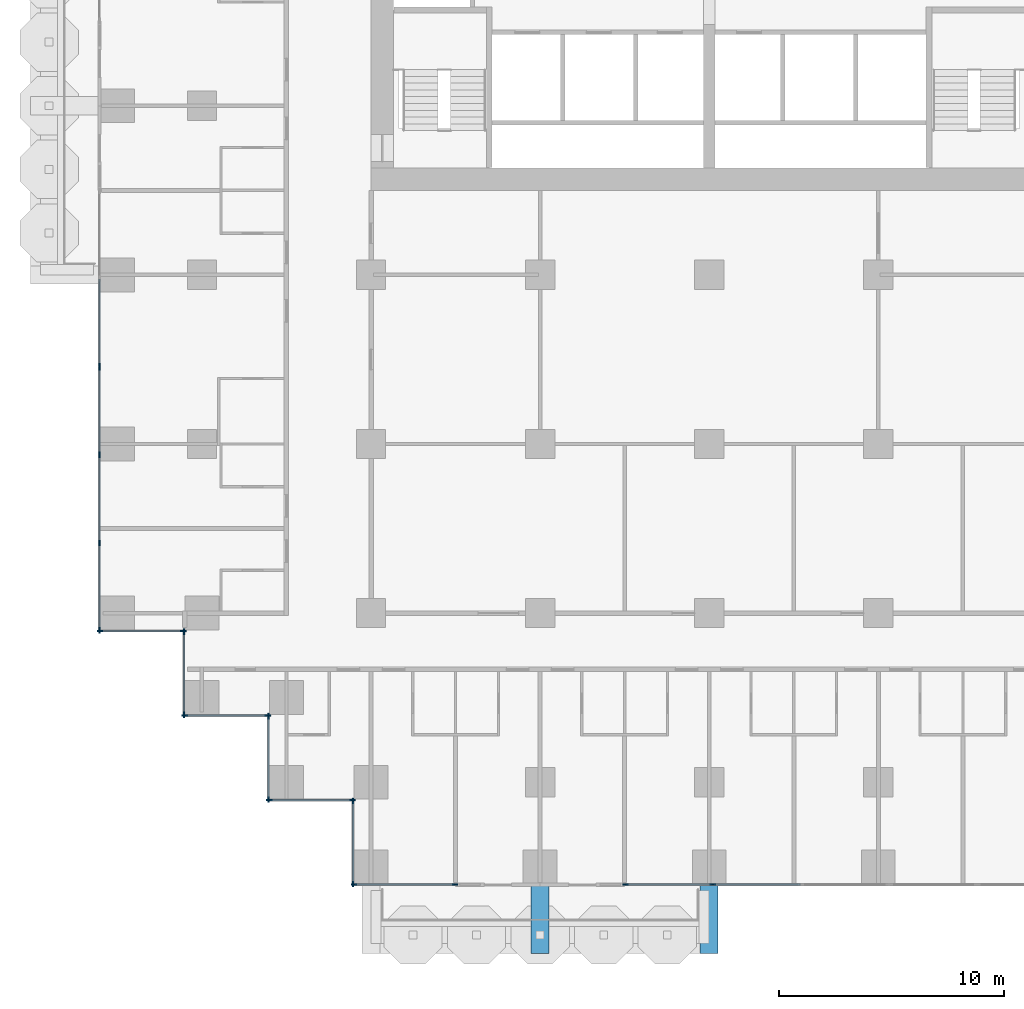
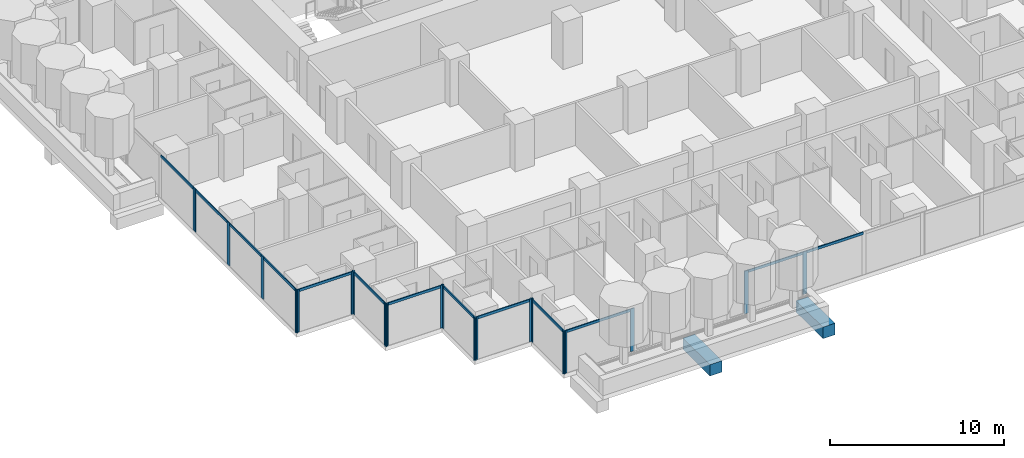
# One storey, part 2 of 19: 34 members, 2 beams, 10 elements without a shape of their own.
"""IFC4 building model written with IfcOpenShell, lengths in metres."""

from ifc_helpers import new_model, si_unit, direction, frame, origin, origin_2d, place, context, subcontext, project, spatial, rectangle, extrude, material, material_profile, profile_set, type_object, element, aggregate, save


model = new_model("IFC4")

# Units and contexts
model_context = context("Model", 3, precision=1e-05, world=origin(), true_north=direction((0.0, 1.0)))
body_context = subcontext(model_context, "Body", "Model", "MODEL_VIEW")
ifc_project = project(units=[si_unit("LENGTHUNIT", "METRE"), si_unit("AREAUNIT", "SQUARE_METRE"), si_unit("VOLUMEUNIT", "CUBIC_METRE"), si_unit("PLANEANGLEUNIT", "RADIAN"), si_unit("MASSUNIT", "GRAM", prefix="KILO")], contexts=[model_context])

# Site, building, storey
site_placement = place(None, origin())
site = spatial("IfcSite", under=ifc_project, at=site_placement, CompositionType="ELEMENT")
building_placement = place(site_placement, origin())
building = spatial("IfcBuilding", under=site, at=building_placement, Name="Pilkhan Gate Tower", CompositionType="ELEMENT")
storey_placement = place(building_placement, frame((0.0, 0.0, 69.199951171875)))
storey = spatial("IfcBuildingStorey", under=building, at=storey_placement, Name="L15", CompositionType="ELEMENT", Elevation=69.199951171875)

# Beams
ifc_material_1 = material(Name="Concrete C50/60", Category="concrete")
ifc_material_profile_1 = material_profile(ifc_material_1, rectangle(XDim=0.800048828125, YDim=0.800048828125, at=origin_2d()), Name="RC 800x800")
ifc_profile_set_1 = profile_set([ifc_material_profile_1], Name="Concrete C50/60")
beam_type = type_object("IfcBeamType", Name="Cantilever beam CB2 RC 800x800 C50/60", PredefinedType="BEAM", material=ifc_profile_set_1)
for number, where, z_axis, x_axis, name in (
    (1, (67.5, 40.5, -0.699951171875), (0.0, -1.0, 0.0), (1.0, 0.0, 0.0), "Balcony beam S.2 L15"),
    (2, (75.0, 40.5, -0.699951171875), (0.0, -1.0, 0.0), (1.0, 0.0, 0.0), "Balcony beam S.3 L15"),
):
    element("IfcBeam", number, at=place(storey_placement, frame(where, z_axis=z_axis, x_axis=x_axis)), inside=storey, type_object=beam_type, Name=name, PredefinedType="BEAM", context=body_context, shape_type="SweptSolid", body=[
        extrude(rectangle(XDim=0.800048828125, YDim=0.800048828125, at=origin_2d()), origin(), (0.0, 0.0, 1.0), 3.10009765625),
    ])

# Curtain wall, members
ifc_material_2 = material(Name="Pale anodised aluminium, clear low-iron double glazing", Category="aluminium")
curtain_wall_type = type_object("IfcCurtainWallType", Name="Hotel unitised curtain wall CW-H", PredefinedType="USERDEFINED", material=ifc_material_2)
curtain_wall_1_placement = place(storey_placement, origin())
curtain_wall_1 = element("IfcCurtainWall", 3, at=curtain_wall_1_placement, inside=storey, type_object=curtain_wall_type, Name="Hotel unitised curtain wall CW-H L15 W", ObjectType="UNITISED CURTAIN WALL", PredefinedType="USERDEFINED")
ifc_material_3 = material(Name="Pale anodised aluminium", Category="aluminium")
ifc_material_profile_2 = material_profile(ifc_material_3, rectangle(XDim=0.06494140625, YDim=0.25, at=origin_2d()), Name="Mullion 250x65")
ifc_profile_set_2 = profile_set([ifc_material_profile_2], Name="Pale anodised aluminium")
member_type_1 = type_object("IfcMemberType", Name="Mullion CW-H 250x65", PredefinedType="MULLION", material=ifc_profile_set_2)
member_1_placement = place(storey_placement, frame((47.955078125, 51.737548828125, 0.0), z_axis=(0.0, 0.0, 1.0), x_axis=(-1.0, 0.0, 0.0)))
member_1 = element("IfcMember", 4, at=member_1_placement, type_object=member_type_1, Name="CW-H mullion 1", PredefinedType="MULLION", context=body_context, shape_type="SweptSolid", body=[
    extrude(rectangle(XDim=0.06494140625, YDim=0.25, at=origin_2d()), origin(), (0.0, 0.0, 1.0), 3.0),
])
member_2_placement = place(storey_placement, frame((47.955078125, 55.614013671875, 0.0), z_axis=(0.0, 0.0, 1.0), x_axis=(-1.0, 0.0, 0.0)))
member_2 = element("IfcMember", 5, at=member_2_placement, type_object=member_type_1, Name="CW-H mullion 2", PredefinedType="MULLION", context=body_context, shape_type="SweptSolid", body=[
    extrude(rectangle(XDim=0.06494140625, YDim=0.25, at=origin_2d()), origin(), (0.0, 0.0, 1.0), 3.0),
])
member_3_placement = place(storey_placement, frame((47.955078125, 59.52294921875, 0.0), z_axis=(0.0, 0.0, 1.0), x_axis=(-1.0, 0.0, 0.0)))
member_3 = element("IfcMember", 6, at=member_3_placement, type_object=member_type_1, Name="CW-H mullion 3", PredefinedType="MULLION", context=body_context, shape_type="SweptSolid", body=[
    extrude(rectangle(XDim=0.06494140625, YDim=0.25, at=origin_2d()), origin(), (0.0, 0.0, 1.0), 3.0),
])
member_4_placement = place(storey_placement, frame((47.955078125, 63.3994140625, 0.0), z_axis=(0.0, 0.0, 1.0), x_axis=(-1.0, 0.0, 0.0)))
member_4 = element("IfcMember", 7, at=member_4_placement, type_object=member_type_1, Name="CW-H mullion 4", PredefinedType="MULLION", context=body_context, shape_type="SweptSolid", body=[
    extrude(rectangle(XDim=0.06494140625, YDim=0.25, at=origin_2d()), origin(), (0.0, 0.0, 1.0), 3.0),
])

# Curtain wall, member
curtain_wall_2_placement = place(storey_placement, origin())
curtain_wall_2 = element("IfcCurtainWall", 8, at=curtain_wall_2_placement, inside=storey, type_object=curtain_wall_type, Name="Hotel unitised curtain wall CW-H L15 W", ObjectType="UNITISED CURTAIN WALL", PredefinedType="USERDEFINED")
member_5_placement = place(storey_placement, frame((47.955078125, 63.464599609375, 0.0), z_axis=(0.0, 0.0, 1.0), x_axis=(-1.0, 0.0, 0.0)))
member_5 = element("IfcMember", 9, at=member_5_placement, type_object=member_type_1, Name="CW-H mullion 1", PredefinedType="MULLION", context=body_context, shape_type="SweptSolid", body=[
    extrude(rectangle(XDim=0.06494140625, YDim=0.25, at=origin_2d()), origin(), (0.0, 0.0, 1.0), 3.0),
])

# Curtain wall, members
curtain_wall_3_placement = place(storey_placement, origin())
curtain_wall_3 = element("IfcCurtainWall", 10, at=curtain_wall_3_placement, inside=storey, type_object=curtain_wall_type, Name="Hotel unitised curtain wall CW-H L15 S", ObjectType="UNITISED CURTAIN WALL", PredefinedType="USERDEFINED")
member_6_placement = place(storey_placement, frame((47.987548828125, 51.705078125, 0.0), z_axis=(0.0, 0.0, 1.0), x_axis=(0.0, 1.0, 0.0)))
member_6 = element("IfcMember", 11, at=member_6_placement, type_object=member_type_1, Name="CW-H mullion 1", PredefinedType="MULLION", context=body_context, shape_type="SweptSolid", body=[
    extrude(rectangle(XDim=0.06494140625, YDim=0.25, at=origin_2d()), origin(), (0.0, 0.0, 1.0), 3.0),
])
member_7_placement = place(storey_placement, frame((51.672607421875, 51.705078125, 0.0), z_axis=(0.0, 0.0, 1.0), x_axis=(0.0, 1.0, 0.0)))
member_7 = element("IfcMember", 12, at=member_7_placement, type_object=member_type_1, Name="CW-H mullion 2", PredefinedType="MULLION", context=body_context, shape_type="SweptSolid", body=[
    extrude(rectangle(XDim=0.06494140625, YDim=0.25, at=origin_2d()), origin(), (0.0, 0.0, 1.0), 3.0),
])

curtain_wall_4_placement = place(storey_placement, origin())
curtain_wall_4 = element("IfcCurtainWall", 13, at=curtain_wall_4_placement, inside=storey, type_object=curtain_wall_type, Name="Hotel unitised curtain wall CW-H L15 W", ObjectType="UNITISED CURTAIN WALL", PredefinedType="USERDEFINED")
member_8_placement = place(storey_placement, frame((51.705078125, 47.987548828125, 0.0), z_axis=(0.0, 0.0, 1.0), x_axis=(-1.0, 0.0, 0.0)))
member_8 = element("IfcMember", 14, at=member_8_placement, type_object=member_type_1, Name="CW-H mullion 1", PredefinedType="MULLION", context=body_context, shape_type="SweptSolid", body=[
    extrude(rectangle(XDim=0.06494140625, YDim=0.25, at=origin_2d()), origin(), (0.0, 0.0, 1.0), 3.0),
])
member_9_placement = place(storey_placement, frame((51.705078125, 51.672607421875, 0.0), z_axis=(0.0, 0.0, 1.0), x_axis=(-1.0, 0.0, 0.0)))
member_9 = element("IfcMember", 15, at=member_9_placement, type_object=member_type_1, Name="CW-H mullion 2", PredefinedType="MULLION", context=body_context, shape_type="SweptSolid", body=[
    extrude(rectangle(XDim=0.06494140625, YDim=0.25, at=origin_2d()), origin(), (0.0, 0.0, 1.0), 3.0),
])

curtain_wall_5_placement = place(storey_placement, origin())
curtain_wall_5 = element("IfcCurtainWall", 16, at=curtain_wall_5_placement, inside=storey, type_object=curtain_wall_type, Name="Hotel unitised curtain wall CW-H L15 S", ObjectType="UNITISED CURTAIN WALL", PredefinedType="USERDEFINED")
member_10_placement = place(storey_placement, frame((51.737548828125, 47.955078125, 0.0), z_axis=(0.0, 0.0, 1.0), x_axis=(0.0, 1.0, 0.0)))
member_10 = element("IfcMember", 17, at=member_10_placement, type_object=member_type_1, Name="CW-H mullion 1", PredefinedType="MULLION", context=body_context, shape_type="SweptSolid", body=[
    extrude(rectangle(XDim=0.06494140625, YDim=0.25, at=origin_2d()), origin(), (0.0, 0.0, 1.0), 3.0),
])
member_11_placement = place(storey_placement, frame((55.422607421875, 47.955078125, 0.0), z_axis=(0.0, 0.0, 1.0), x_axis=(0.0, 1.0, 0.0)))
member_11 = element("IfcMember", 18, at=member_11_placement, type_object=member_type_1, Name="CW-H mullion 2", PredefinedType="MULLION", context=body_context, shape_type="SweptSolid", body=[
    extrude(rectangle(XDim=0.06494140625, YDim=0.25, at=origin_2d()), origin(), (0.0, 0.0, 1.0), 3.0),
])

curtain_wall_6_placement = place(storey_placement, origin())
curtain_wall_6 = element("IfcCurtainWall", 19, at=curtain_wall_6_placement, inside=storey, type_object=curtain_wall_type, Name="Hotel unitised curtain wall CW-H L15 W", ObjectType="UNITISED CURTAIN WALL", PredefinedType="USERDEFINED")
member_12_placement = place(storey_placement, frame((55.455078125, 44.237548828125, 0.0), z_axis=(0.0, 0.0, 1.0), x_axis=(-1.0, 0.0, 0.0)))
member_12 = element("IfcMember", 20, at=member_12_placement, type_object=member_type_1, Name="CW-H mullion 1", PredefinedType="MULLION", context=body_context, shape_type="SweptSolid", body=[
    extrude(rectangle(XDim=0.06494140625, YDim=0.25, at=origin_2d()), origin(), (0.0, 0.0, 1.0), 3.0),
])
member_13_placement = place(storey_placement, frame((55.455078125, 47.922607421875, 0.0), z_axis=(0.0, 0.0, 1.0), x_axis=(-1.0, 0.0, 0.0)))
member_13 = element("IfcMember", 21, at=member_13_placement, type_object=member_type_1, Name="CW-H mullion 2", PredefinedType="MULLION", context=body_context, shape_type="SweptSolid", body=[
    extrude(rectangle(XDim=0.06494140625, YDim=0.25, at=origin_2d()), origin(), (0.0, 0.0, 1.0), 3.0),
])

curtain_wall_7_placement = place(storey_placement, origin())
curtain_wall_7 = element("IfcCurtainWall", 22, at=curtain_wall_7_placement, inside=storey, type_object=curtain_wall_type, Name="Hotel unitised curtain wall CW-H L15 S", ObjectType="UNITISED CURTAIN WALL", PredefinedType="USERDEFINED")
member_14_placement = place(storey_placement, frame((55.487548828125, 44.205078125, 0.0), z_axis=(0.0, 0.0, 1.0), x_axis=(0.0, 1.0, 0.0)))
member_14 = element("IfcMember", 23, at=member_14_placement, type_object=member_type_1, Name="CW-H mullion 1", PredefinedType="MULLION", context=body_context, shape_type="SweptSolid", body=[
    extrude(rectangle(XDim=0.06494140625, YDim=0.25, at=origin_2d()), origin(), (0.0, 0.0, 1.0), 3.0),
])
member_15_placement = place(storey_placement, frame((59.172607421875, 44.205078125, 0.0), z_axis=(0.0, 0.0, 1.0), x_axis=(0.0, 1.0, 0.0)))
member_15 = element("IfcMember", 24, at=member_15_placement, type_object=member_type_1, Name="CW-H mullion 2", PredefinedType="MULLION", context=body_context, shape_type="SweptSolid", body=[
    extrude(rectangle(XDim=0.06494140625, YDim=0.25, at=origin_2d()), origin(), (0.0, 0.0, 1.0), 3.0),
])

curtain_wall_8_placement = place(storey_placement, origin())
curtain_wall_8 = element("IfcCurtainWall", 25, at=curtain_wall_8_placement, inside=storey, type_object=curtain_wall_type, Name="Hotel unitised curtain wall CW-H L15 W", ObjectType="UNITISED CURTAIN WALL", PredefinedType="USERDEFINED")
member_16_placement = place(storey_placement, frame((59.205078125, 40.487548828125, 0.0), z_axis=(0.0, 0.0, 1.0), x_axis=(-1.0, 0.0, 0.0)))
member_16 = element("IfcMember", 26, at=member_16_placement, type_object=member_type_1, Name="CW-H mullion 1", PredefinedType="MULLION", context=body_context, shape_type="SweptSolid", body=[
    extrude(rectangle(XDim=0.06494140625, YDim=0.25, at=origin_2d()), origin(), (0.0, 0.0, 1.0), 3.0),
])
member_17_placement = place(storey_placement, frame((59.205078125, 44.172607421875, 0.0), z_axis=(0.0, 0.0, 1.0), x_axis=(-1.0, 0.0, 0.0)))
member_17 = element("IfcMember", 27, at=member_17_placement, type_object=member_type_1, Name="CW-H mullion 2", PredefinedType="MULLION", context=body_context, shape_type="SweptSolid", body=[
    extrude(rectangle(XDim=0.06494140625, YDim=0.25, at=origin_2d()), origin(), (0.0, 0.0, 1.0), 3.0),
])

curtain_wall_9_placement = place(storey_placement, origin())
curtain_wall_9 = element("IfcCurtainWall", 28, at=curtain_wall_9_placement, inside=storey, type_object=curtain_wall_type, Name="Hotel unitised curtain wall CW-H L15 S", ObjectType="UNITISED CURTAIN WALL", PredefinedType="USERDEFINED")
member_18_placement = place(storey_placement, frame((59.237548828125, 40.455078125, 0.0), z_axis=(0.0, 0.0, 1.0), x_axis=(0.0, 1.0, 0.0)))
member_18 = element("IfcMember", 29, at=member_18_placement, type_object=member_type_1, Name="CW-H mullion 1", PredefinedType="MULLION", context=body_context, shape_type="SweptSolid", body=[
    extrude(rectangle(XDim=0.06494140625, YDim=0.25, at=origin_2d()), origin(), (0.0, 0.0, 1.0), 3.0),
])
member_19_placement = place(storey_placement, frame((63.717529296875, 40.455078125, 0.0), z_axis=(0.0, 0.0, 1.0), x_axis=(0.0, 1.0, 0.0)))
member_19 = element("IfcMember", 30, at=member_19_placement, type_object=member_type_1, Name="CW-H mullion 2", PredefinedType="MULLION", context=body_context, shape_type="SweptSolid", body=[
    extrude(rectangle(XDim=0.06494140625, YDim=0.25, at=origin_2d()), origin(), (0.0, 0.0, 1.0), 3.0),
])

curtain_wall_10_placement = place(storey_placement, origin())
curtain_wall_10 = element("IfcCurtainWall", 31, at=curtain_wall_10_placement, inside=storey, type_object=curtain_wall_type, Name="Hotel unitised curtain wall CW-H L15 S", ObjectType="UNITISED CURTAIN WALL", PredefinedType="USERDEFINED")
member_20_placement = place(storey_placement, frame((71.282470703125, 40.455078125, 0.0), z_axis=(0.0, 0.0, 1.0), x_axis=(0.0, 1.0, 0.0)))
member_20 = element("IfcMember", 32, at=member_20_placement, type_object=member_type_1, Name="CW-H mullion 1", PredefinedType="MULLION", context=body_context, shape_type="SweptSolid", body=[
    extrude(rectangle(XDim=0.06494140625, YDim=0.25, at=origin_2d()), origin(), (0.0, 0.0, 1.0), 3.0),
])
member_21_placement = place(storey_placement, frame((75.158935546875, 40.455078125, 0.0), z_axis=(0.0, 0.0, 1.0), x_axis=(0.0, 1.0, 0.0)))
member_21 = element("IfcMember", 33, at=member_21_placement, type_object=member_type_1, Name="CW-H mullion 2", PredefinedType="MULLION", context=body_context, shape_type="SweptSolid", body=[
    extrude(rectangle(XDim=0.06494140625, YDim=0.25, at=origin_2d()), origin(), (0.0, 0.0, 1.0), 3.0),
])

# Member
ifc_material_profile_3 = material_profile(ifc_material_3, rectangle(XDim=0.06494140625, YDim=0.179931640625, at=origin_2d()), Name="Transom 180x65")
ifc_profile_set_3 = profile_set([ifc_material_profile_3], Name="Pale anodised aluminium")
member_type_2 = type_object("IfcMemberType", Name="Transom CW-H 180x65", PredefinedType="USERDEFINED", material=ifc_profile_set_3)
member_22_placement = place(storey_placement, frame((47.955078125, 51.77001953125, 2.91015625), z_axis=(0.0, 1.0, 0.0), x_axis=(-1.0, 0.0, 0.0)))
member_22 = element("IfcMember", 34, at=member_22_placement, type_object=member_type_2, Name="CW-H transom 1", ObjectType="TRANSOM", PredefinedType="USERDEFINED", context=body_context, shape_type="SweptSolid", body=[
    extrude(rectangle(XDim=0.06494140625, YDim=0.179931640625, at=origin_2d()), origin(), (0.0, 0.0, 1.0), 3.8115234375),
])

member_23_placement = place(storey_placement, frame((47.955078125, 55.646484375, 2.91015625), z_axis=(0.0, 1.0, 0.0), x_axis=(-1.0, 0.0, 0.0)))
member_23 = element("IfcMember", 35, at=member_23_placement, type_object=member_type_2, Name="CW-H transom 2", ObjectType="TRANSOM", PredefinedType="USERDEFINED", context=body_context, shape_type="SweptSolid", body=[
    extrude(rectangle(XDim=0.06494140625, YDim=0.179931640625, at=origin_2d()), origin(), (0.0, 0.0, 1.0), 3.843994140625),
])

member_24_placement = place(storey_placement, frame((47.955078125, 59.555419921875, 2.91015625), z_axis=(0.0, 1.0, 0.0), x_axis=(-1.0, 0.0, 0.0)))
member_24 = element("IfcMember", 36, at=member_24_placement, type_object=member_type_2, Name="CW-H transom 3", ObjectType="TRANSOM", PredefinedType="USERDEFINED", context=body_context, shape_type="SweptSolid", body=[
    extrude(rectangle(XDim=0.06494140625, YDim=0.179931640625, at=origin_2d()), origin(), (0.0, 0.0, 1.0), 3.8115234375),
])

aggregate(curtain_wall_1, [member_1, member_2, member_3, member_4, member_22, member_23, member_24])

member_25_placement = place(storey_placement, frame((47.955078125, 63.4970703125, 2.91015625), z_axis=(0.0, 1.0, 0.0), x_axis=(-1.0, 0.0, 0.0)))
member_25 = element("IfcMember", 37, at=member_25_placement, type_object=member_type_2, Name="CW-H transom 1", ObjectType="TRANSOM", PredefinedType="USERDEFINED", context=body_context, shape_type="SweptSolid", body=[
    extrude(rectangle(XDim=0.06494140625, YDim=0.179931640625, at=origin_2d()), origin(), (0.0, 0.0, 1.0), 3.8115234375),
])

aggregate(curtain_wall_2, [member_5, member_25])

member_26_placement = place(storey_placement, frame((48.02001953125, 51.705078125, 2.91015625), z_axis=(1.0, 0.0, 0.0), x_axis=(0.0, 1.0, 0.0)))
member_26 = element("IfcMember", 38, at=member_26_placement, type_object=member_type_2, Name="CW-H transom 1", ObjectType="TRANSOM", PredefinedType="USERDEFINED", context=body_context, shape_type="SweptSolid", body=[
    extrude(rectangle(XDim=0.06494140625, YDim=0.179931640625, at=origin_2d()), origin(), (0.0, 0.0, 1.0), 3.619873046875),
])

aggregate(curtain_wall_3, [member_6, member_7, member_26])

member_27_placement = place(storey_placement, frame((51.705078125, 48.02001953125, 2.91015625), z_axis=(0.0, 1.0, 0.0), x_axis=(-1.0, 0.0, 0.0)))
member_27 = element("IfcMember", 39, at=member_27_placement, type_object=member_type_2, Name="CW-H transom 1", ObjectType="TRANSOM", PredefinedType="USERDEFINED", context=body_context, shape_type="SweptSolid", body=[
    extrude(rectangle(XDim=0.06494140625, YDim=0.179931640625, at=origin_2d()), origin(), (0.0, 0.0, 1.0), 3.619873046875),
])

aggregate(curtain_wall_4, [member_8, member_9, member_27])

member_28_placement = place(storey_placement, frame((51.77001953125, 47.955078125, 2.91015625), z_axis=(1.0, 0.0, 0.0), x_axis=(0.0, 1.0, 0.0)))
member_28 = element("IfcMember", 40, at=member_28_placement, type_object=member_type_2, Name="CW-H transom 1", ObjectType="TRANSOM", PredefinedType="USERDEFINED", context=body_context, shape_type="SweptSolid", body=[
    extrude(rectangle(XDim=0.06494140625, YDim=0.179931640625, at=origin_2d()), origin(), (0.0, 0.0, 1.0), 3.619873046875),
])

aggregate(curtain_wall_5, [member_10, member_11, member_28])

member_29_placement = place(storey_placement, frame((55.455078125, 44.27001953125, 2.91015625), z_axis=(0.0, 1.0, 0.0), x_axis=(-1.0, 0.0, 0.0)))
member_29 = element("IfcMember", 41, at=member_29_placement, type_object=member_type_2, Name="CW-H transom 1", ObjectType="TRANSOM", PredefinedType="USERDEFINED", context=body_context, shape_type="SweptSolid", body=[
    extrude(rectangle(XDim=0.06494140625, YDim=0.179931640625, at=origin_2d()), origin(), (0.0, 0.0, 1.0), 3.619873046875),
])

aggregate(curtain_wall_6, [member_12, member_13, member_29])

member_30_placement = place(storey_placement, frame((55.52001953125, 44.205078125, 2.91015625), z_axis=(1.0, 0.0, 0.0), x_axis=(0.0, 1.0, 0.0)))
member_30 = element("IfcMember", 42, at=member_30_placement, type_object=member_type_2, Name="CW-H transom 1", ObjectType="TRANSOM", PredefinedType="USERDEFINED", context=body_context, shape_type="SweptSolid", body=[
    extrude(rectangle(XDim=0.06494140625, YDim=0.179931640625, at=origin_2d()), origin(), (0.0, 0.0, 1.0), 3.619873046875),
])

aggregate(curtain_wall_7, [member_14, member_15, member_30])

member_31_placement = place(storey_placement, frame((59.205078125, 40.52001953125, 2.91015625), z_axis=(0.0, 1.0, 0.0), x_axis=(-1.0, 0.0, 0.0)))
member_31 = element("IfcMember", 43, at=member_31_placement, type_object=member_type_2, Name="CW-H transom 1", ObjectType="TRANSOM", PredefinedType="USERDEFINED", context=body_context, shape_type="SweptSolid", body=[
    extrude(rectangle(XDim=0.06494140625, YDim=0.179931640625, at=origin_2d()), origin(), (0.0, 0.0, 1.0), 3.619873046875),
])

aggregate(curtain_wall_8, [member_16, member_17, member_31])

member_32_placement = place(storey_placement, frame((59.27001953125, 40.455078125, 2.91015625), z_axis=(1.0, 0.0, 0.0), x_axis=(0.0, 1.0, 0.0)))
member_32 = element("IfcMember", 44, at=member_32_placement, type_object=member_type_2, Name="CW-H transom 1", ObjectType="TRANSOM", PredefinedType="USERDEFINED", context=body_context, shape_type="SweptSolid", body=[
    extrude(rectangle(XDim=0.06494140625, YDim=0.179931640625, at=origin_2d()), origin(), (0.0, 0.0, 1.0), 4.4150390625),
])

aggregate(curtain_wall_9, [member_18, member_19, member_32])

member_33_placement = place(storey_placement, frame((71.31494140625, 40.455078125, 2.91015625), z_axis=(1.0, 0.0, 0.0), x_axis=(0.0, 1.0, 0.0)))
member_33 = element("IfcMember", 45, at=member_33_placement, type_object=member_type_2, Name="CW-H transom 1", ObjectType="TRANSOM", PredefinedType="USERDEFINED", context=body_context, shape_type="SweptSolid", body=[
    extrude(rectangle(XDim=0.06494140625, YDim=0.179931640625, at=origin_2d()), origin(), (0.0, 0.0, 1.0), 3.8115234375),
])

member_34_placement = place(storey_placement, frame((75.19140625, 40.455078125, 2.91015625), z_axis=(1.0, 0.0, 0.0), x_axis=(0.0, 1.0, 0.0)))
member_34 = element("IfcMember", 46, at=member_34_placement, type_object=member_type_2, Name="CW-H transom 2", ObjectType="TRANSOM", PredefinedType="USERDEFINED", context=body_context, shape_type="SweptSolid", body=[
    extrude(rectangle(XDim=0.06494140625, YDim=0.179931640625, at=origin_2d()), origin(), (0.0, 0.0, 1.0), 3.843994140625),
])

aggregate(curtain_wall_10, [member_20, member_21, member_33, member_34])

save(model, "model.ifc")
